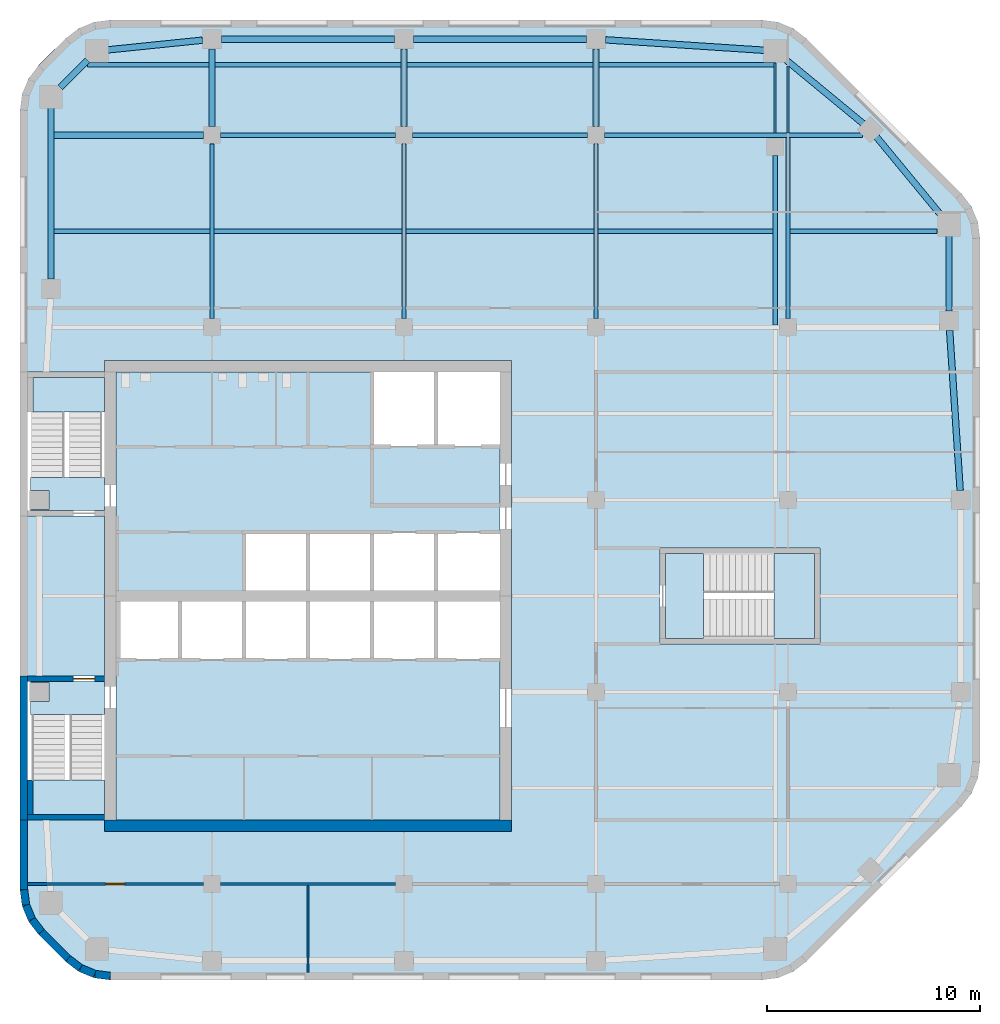
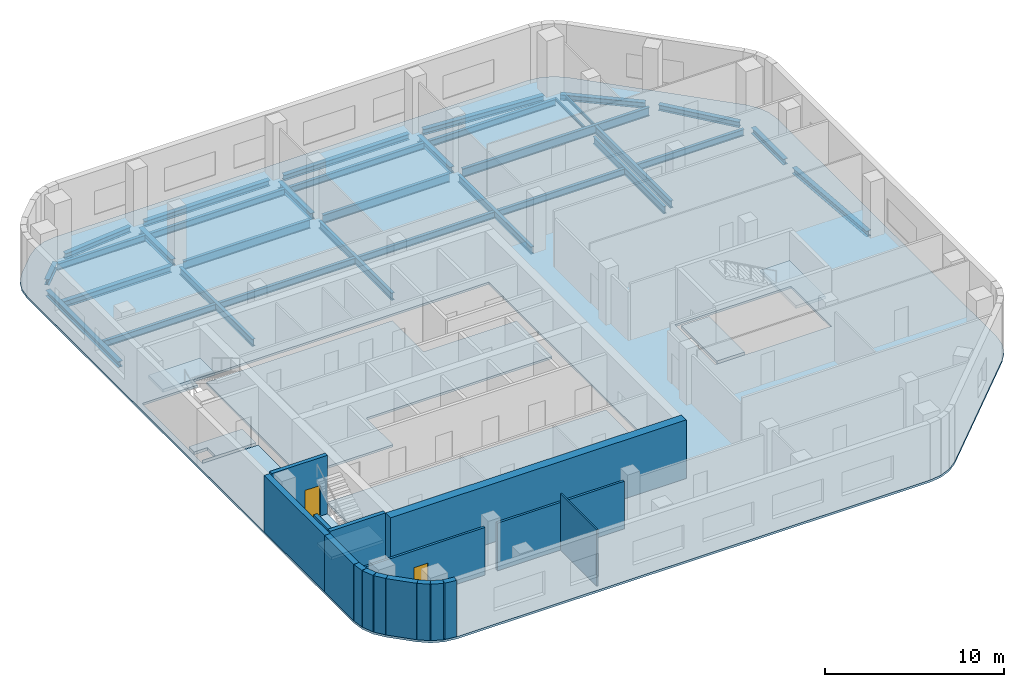
# One storey, part 2 of 8: 33 beams, 16 walls, 9 slabs, 2 doors, 2 openings, 3 elements without a shape of their own.
"""IFC4 building model written with IfcOpenShell, lengths in metres."""

from ifc_helpers import new_model, si_unit, direction, frame, frame_2d, origin, origin_2d, place, context, subcontext, project, spatial, polyline, rectangle, i_section, outline, extrude, material, layer, layer_set, material_profile, profile_set, type_object, element, fill, aggregate, save


model = new_model("IFC4")

# Units and contexts
model_context = context("Model", 3, precision=1e-05, world=origin(), true_north=direction((0.0, 1.0)))
body_context = subcontext(model_context, "Body", "Model", "MODEL_VIEW")
ifc_project = project(units=[si_unit("LENGTHUNIT", "METRE"), si_unit("AREAUNIT", "SQUARE_METRE"), si_unit("VOLUMEUNIT", "CUBIC_METRE"), si_unit("PLANEANGLEUNIT", "RADIAN"), si_unit("MASSUNIT", "GRAM", prefix="KILO")], contexts=[model_context])

# Site, building, storey
site_placement = place(None, origin())
site = spatial("IfcSite", under=ifc_project, at=site_placement, CompositionType="ELEMENT")
building_placement = place(site_placement, origin())
building = spatial("IfcBuilding", under=site, at=building_placement, Name="Cinnabar Reach Civic Tower", CompositionType="ELEMENT")
storey_placement = place(building_placement, frame((0.0, 0.0, 222.0)))
storey = spatial("IfcBuildingStorey", under=building, at=storey_placement, Name="L53", CompositionType="ELEMENT", Elevation=222.0)

# Beams
ifc_material_1 = material(Name="Steel Q355B", Category="steel")
ifc_material_profile_1 = material_profile(ifc_material_1, i_section(OverallWidth=0.3, OverallDepth=0.39, WebThickness=0.01, FlangeThickness=0.016, FilletRadius=0.013, at=origin_2d()), Name="HM390x300x10x16")
ifc_profile_set_1 = profile_set([ifc_material_profile_1], Name="Steel Q355B")
beam_type_1 = type_object("IfcBeamType", Name="HM390x300x10x16 beam R 180", PredefinedType="BEAM", material=ifc_profile_set_1)
beam_1_placement = place(storey_placement, frame((44.0702, 36.452, -0.345), z_axis=(-0.065709484267, 0.997838796438, 0.0), x_axis=(-0.997838796438, -0.065709484267, 0.0)))
element("IfcBeam", 1, at=beam_1_placement, inside=storey, type_object=beam_type_1, Name="Edge beam T1 L53 9", PredefinedType="BEAM", context=body_context, shape_type="SweptSolid", body=[
    extrude(i_section(OverallWidth=0.3, OverallDepth=0.39, WebThickness=0.01, FlangeThickness=0.016, FilletRadius=0.013, at=origin_2d()), origin(), (0.0, 0.0, 1.0), 7.5103),
])
beam_2_placement = place(storey_placement, frame((43.5469, 44.8501, -0.345), z_axis=(0.0, 1.0, 0.0), x_axis=(-1.0, 0.0, 0.0)))
element("IfcBeam", 2, at=beam_2_placement, inside=storey, type_object=beam_type_1, Name="Edge beam T1 L53 10", PredefinedType="BEAM", context=body_context, shape_type="SweptSolid", body=[
    extrude(i_section(OverallWidth=0.3, OverallDepth=0.39, WebThickness=0.01, FlangeThickness=0.016, FilletRadius=0.013, at=origin_2d()), origin(), (0.0, 0.0, 1.0), 3.616),
])
for number, where, z_axis, x_axis, name in (
    (3, (43.1906, 49.3301, -0.345), (-0.63630880182, 0.771434448755, 0.0), (-0.771434448755, -0.63630880182, 0.0), "Edge beam T1 L53 11"),
    (4, (39.5598, 53.6142, -0.345), (-0.771434448755, 0.63630880182, 0.0), (-0.63630880182, -0.771434448755, 0.0), "Edge beam T1 L53 12"),
):
    element("IfcBeam", number, at=place(storey_placement, frame(where, z_axis=z_axis, x_axis=x_axis)), inside=storey, type_object=beam_type_1, Name=name, PredefinedType="BEAM", context=body_context, shape_type="SweptSolid", body=[
        extrude(i_section(OverallWidth=0.3, OverallDepth=0.39, WebThickness=0.01, FlangeThickness=0.016, FilletRadius=0.013, at=origin_2d()), origin(), (0.0, 0.0, 1.0), 4.8348),
    ])
beam_3_placement = place(storey_placement, frame((34.9661, 57.0754, -0.345), z_axis=(-0.99783894477, 0.065707231721, 0.0), x_axis=(-0.065707231721, -0.99783894477, 0.0)))
element("IfcBeam", 5, at=beam_3_placement, inside=storey, type_object=beam_type_1, Name="Edge beam T1 L53 13", PredefinedType="BEAM", context=body_context, shape_type="SweptSolid", body=[
    extrude(i_section(OverallWidth=0.3, OverallDepth=0.39, WebThickness=0.01, FlangeThickness=0.016, FilletRadius=0.013, at=origin_2d()), origin(), (0.0, 0.0, 1.0), 7.5304),
])
for number, where, z_axis, x_axis, name in (
    (6, (26.548, 57.6, -0.345), (-1.0, 0.0, 0.0), (0.0, -1.0, 0.0), "Edge beam T1 L53 14"),
    (7, (17.548, 57.6, -0.345), (-1.0, 0.0, 0.0), (0.0, -1.0, 0.0), "Edge beam T1 L53 15"),
):
    element("IfcBeam", number, at=place(storey_placement, frame(where, z_axis=z_axis, x_axis=x_axis)), inside=storey, type_object=beam_type_1, Name=name, PredefinedType="BEAM", context=body_context, shape_type="SweptSolid", body=[
        extrude(i_section(OverallWidth=0.3, OverallDepth=0.39, WebThickness=0.01, FlangeThickness=0.016, FilletRadius=0.013, at=origin_2d()), origin(), (0.0, 0.0, 1.0), 8.096),
    ])
beam_4_placement = place(storey_placement, frame((8.548, 57.5537, -0.345), z_axis=(-0.994792272495, -0.101923179821, 0.0), x_axis=(0.101923179821, -0.994792272495, 0.0)))
element("IfcBeam", 8, at=beam_4_placement, inside=storey, type_object=beam_type_1, Name="Edge beam T1 L53 16", PredefinedType="BEAM", context=body_context, shape_type="SweptSolid", body=[
    extrude(i_section(OverallWidth=0.3, OverallDepth=0.39, WebThickness=0.01, FlangeThickness=0.016, FilletRadius=0.013, at=origin_2d()), origin(), (0.0, 0.0, 1.0), 4.5377),
])
beam_5_placement = place(storey_placement, frame((3.1699, 56.6149, -0.345), z_axis=(-0.707106781187, -0.707106781187, 0.0), x_axis=(0.707106781187, -0.707106781187, 0.0)))
element("IfcBeam", 9, at=beam_5_placement, inside=storey, type_object=beam_type_1, Name="Edge beam T1 L53 17", PredefinedType="BEAM", context=body_context, shape_type="SweptSolid", body=[
    extrude(i_section(OverallWidth=0.3, OverallDepth=0.39, WebThickness=0.01, FlangeThickness=0.016, FilletRadius=0.013, at=origin_2d()), origin(), (0.0, 0.0, 1.0), 1.817),
])
beam_6_placement = place(storey_placement, frame((1.4531, 54.4661, -0.345), z_axis=(0.0, -1.0, 0.0), x_axis=(1.0, 0.0, 0.0)))
element("IfcBeam", 10, at=beam_6_placement, inside=storey, type_object=beam_type_1, Name="Edge beam T1 L53 18", PredefinedType="BEAM", context=body_context, shape_type="SweptSolid", body=[
    extrude(i_section(OverallWidth=0.3, OverallDepth=0.39, WebThickness=0.01, FlangeThickness=0.016, FilletRadius=0.013, at=origin_2d()), origin(), (0.0, 0.0, 1.0), 8.116),
])
ifc_material_profile_2 = material_profile(ifc_material_1, i_section(OverallWidth=0.3, OverallDepth=0.44, WebThickness=0.011, FlangeThickness=0.018, FilletRadius=0.016, at=origin_2d()), Name="HM440x300x11x18")
ifc_profile_set_2 = profile_set([ifc_material_profile_2], Name="Steel Q355B")
beam_type_2 = type_object("IfcBeamType", Name="HM440x300x11x18 beam R 180", PredefinedType="BEAM", material=ifc_profile_set_2)
beam_7_placement = place(storey_placement, frame((1.6051, 53.1, -0.37), z_axis=(1.0, 0.0, 0.0), x_axis=(0.0, 1.0, 0.0)))
element("IfcBeam", 11, at=beam_7_placement, inside=storey, type_object=beam_type_2, Name="Girder T1 L53 17", PredefinedType="BEAM", context=body_context, shape_type="SweptSolid", body=[
    extrude(i_section(OverallWidth=0.3, OverallDepth=0.44, WebThickness=0.011, FlangeThickness=0.018, FilletRadius=0.016, at=origin_2d()), origin(), (0.0, 0.0, 1.0), 6.9929),
])
for number, where, z_axis, x_axis, name in (
    (12, (9.0, 53.502, -0.37), (0.0, 1.0, 0.0), (-1.0, 0.0, 0.0), "Girder T1 L53 5"),
    (13, (18.0, 53.502, -0.37), (0.0, 1.0, 0.0), (-1.0, 0.0, 0.0), "Girder T1 L53 10"),
    (14, (27.0, 53.502, -0.37), (0.0, 1.0, 0.0), (-1.0, 0.0, 0.0), "Girder T1 L53 16"),
):
    element("IfcBeam", number, at=place(storey_placement, frame(where, z_axis=z_axis, x_axis=x_axis)), inside=storey, type_object=beam_type_2, Name=name, PredefinedType="BEAM", context=body_context, shape_type="SweptSolid", body=[
        extrude(i_section(OverallWidth=0.3, OverallDepth=0.44, WebThickness=0.011, FlangeThickness=0.018, FilletRadius=0.016, at=origin_2d()), origin(), (0.0, 0.0, 1.0), 3.646),
    ])
ifc_material_profile_3 = material_profile(ifc_material_1, i_section(OverallWidth=0.099, OverallDepth=0.198, WebThickness=0.0045, FlangeThickness=0.007, FilletRadius=0.013, at=origin_2d()), Name="HN200x100x5.5x8")
ifc_profile_set_3 = profile_set([ifc_material_profile_3], Name="Steel Q355B")
beam_type_3 = type_object("IfcBeamType", Name="HN200x100x5.5x8 beam R 180", PredefinedType="BEAM", material=ifc_profile_set_3)
beam_8_placement = place(storey_placement, frame((35.3981, 53.2015, -0.249), z_axis=(0.0, 1.0, 0.0), x_axis=(-1.0, 0.0, 0.0)))
element("IfcBeam", 15, at=beam_8_placement, inside=storey, type_object=beam_type_3, Name="Girder T1 L53 23", PredefinedType="BEAM", context=body_context, shape_type="SweptSolid", body=[
    extrude(i_section(OverallWidth=0.099, OverallDepth=0.198, WebThickness=0.0045, FlangeThickness=0.007, FilletRadius=0.013, at=origin_2d()), origin(), (0.0, 0.0, 1.0), 3.2934),
])
beam_9_placement = place(storey_placement, frame((36.0, 53.2015, -0.249), z_axis=(0.0, 1.0, 0.0), x_axis=(-1.0, 0.0, 0.0)))
element("IfcBeam", 16, at=beam_9_placement, inside=storey, type_object=beam_type_3, Name="Girder T1 L53 30", PredefinedType="BEAM", context=body_context, shape_type="SweptSolid", body=[
    extrude(i_section(OverallWidth=0.099, OverallDepth=0.198, WebThickness=0.0045, FlangeThickness=0.007, FilletRadius=0.013, at=origin_2d()), origin(), (0.0, 0.0, 1.0), 3.1519),
])
ifc_material_profile_4 = material_profile(ifc_material_1, i_section(OverallWidth=0.199, OverallDepth=0.446, WebThickness=0.008, FlangeThickness=0.012, FilletRadius=0.016, at=origin_2d()), Name="HN446x199x8x12")
ifc_profile_set_4 = profile_set([ifc_material_profile_4], Name="Steel Q355B")
beam_type_4 = type_object("IfcBeamType", Name="HN446x199x8x12 beam R 180", PredefinedType="BEAM", material=ifc_profile_set_4)
beam_10_placement = place(storey_placement, frame((1.6051, 48.6, -0.373), z_axis=(1.0, 0.0, 0.0), x_axis=(0.0, 1.0, 0.0)))
element("IfcBeam", 17, at=beam_10_placement, inside=storey, type_object=beam_type_4, Name="Secondary beam T1 L53 11", PredefinedType="BEAM", context=body_context, shape_type="SweptSolid", body=[
    extrude(i_section(OverallWidth=0.199, OverallDepth=0.446, WebThickness=0.008, FlangeThickness=0.012, FilletRadius=0.016, at=origin_2d()), origin(), (0.0, 0.0, 1.0), 7.2929),
])
for number, where, z_axis, x_axis, name in (
    (18, (9.102, 48.6, -0.373), (1.0, 0.0, 0.0), (0.0, 1.0, 0.0), "Secondary beam T1 L53 12"),
    (19, (18.102, 48.6, -0.373), (1.0, 0.0, 0.0), (0.0, 1.0, 0.0), "Secondary beam T1 L53 13"),
):
    element("IfcBeam", number, at=place(storey_placement, frame(where, z_axis=z_axis, x_axis=x_axis)), inside=storey, type_object=beam_type_4, Name=name, PredefinedType="BEAM", context=body_context, shape_type="SweptSolid", body=[
        extrude(i_section(OverallWidth=0.199, OverallDepth=0.446, WebThickness=0.008, FlangeThickness=0.012, FilletRadius=0.016, at=origin_2d()), origin(), (0.0, 0.0, 1.0), 8.796),
    ])
beam_11_placement = place(storey_placement, frame((27.102, 48.6, -0.373), z_axis=(1.0, 0.0, 0.0), x_axis=(0.0, 1.0, 0.0)))
element("IfcBeam", 20, at=beam_11_placement, inside=storey, type_object=beam_type_4, Name="Secondary beam T1 L53 14", PredefinedType="BEAM", context=body_context, shape_type="SweptSolid", body=[
    extrude(i_section(OverallWidth=0.199, OverallDepth=0.446, WebThickness=0.008, FlangeThickness=0.012, FilletRadius=0.016, at=origin_2d()), origin(), (0.0, 0.0, 1.0), 8.1941),
])
beam_12_placement = place(storey_placement, frame((36.102, 48.6, -0.373), z_axis=(1.0, 0.0, 0.0), x_axis=(0.0, 1.0, 0.0)))
element("IfcBeam", 21, at=beam_12_placement, inside=storey, type_object=beam_type_4, Name="Secondary beam T1 L53 15", PredefinedType="BEAM", context=body_context, shape_type="SweptSolid", body=[
    extrude(i_section(OverallWidth=0.199, OverallDepth=0.446, WebThickness=0.008, FlangeThickness=0.012, FilletRadius=0.016, at=origin_2d()), origin(), (0.0, 0.0, 1.0), 6.8929),
])
beam_13_placement = place(storey_placement, frame((3.17, 56.4, -0.373), z_axis=(1.0, 0.0, 0.0), x_axis=(0.0, 1.0, 0.0)))
element("IfcBeam", 22, at=beam_13_placement, inside=storey, type_object=beam_type_4, Name="Secondary beam T1 L53 16", PredefinedType="BEAM", context=body_context, shape_type="SweptSolid", body=[
    extrude(i_section(OverallWidth=0.199, OverallDepth=0.446, WebThickness=0.008, FlangeThickness=0.012, FilletRadius=0.016, at=origin_2d()), origin(), (0.0, 0.0, 1.0), 5.678),
])
for number, where, z_axis, x_axis, name in (
    (23, (9.152, 56.4, -0.373), (1.0, 0.0, 0.0), (0.0, 1.0, 0.0), "Secondary beam T1 L53 17"),
    (24, (18.152, 56.4, -0.373), (1.0, 0.0, 0.0), (0.0, 1.0, 0.0), "Secondary beam T1 L53 18"),
):
    element("IfcBeam", number, at=place(storey_placement, frame(where, z_axis=z_axis, x_axis=x_axis)), inside=storey, type_object=beam_type_4, Name=name, PredefinedType="BEAM", context=body_context, shape_type="SweptSolid", body=[
        extrude(i_section(OverallWidth=0.199, OverallDepth=0.446, WebThickness=0.008, FlangeThickness=0.012, FilletRadius=0.016, at=origin_2d()), origin(), (0.0, 0.0, 1.0), 8.696),
    ])
beam_14_placement = place(storey_placement, frame((27.152, 56.4, -0.373), z_axis=(1.0, 0.0, 0.0), x_axis=(0.0, 1.0, 0.0)))
element("IfcBeam", 25, at=beam_14_placement, inside=storey, type_object=beam_type_4, Name="Secondary beam T1 L53 19", PredefinedType="BEAM", context=body_context, shape_type="SweptSolid", body=[
    extrude(i_section(OverallWidth=0.199, OverallDepth=0.446, WebThickness=0.008, FlangeThickness=0.012, FilletRadius=0.016, at=origin_2d()), origin(), (0.0, 0.0, 1.0), 8.1946),
])
ifc_material_profile_5 = material_profile(ifc_material_1, i_section(OverallWidth=0.2, OverallDepth=0.5, WebThickness=0.01, FlangeThickness=0.016, FilletRadius=0.016, at=origin_2d()), Name="HN500x200x10x16")
ifc_profile_set_5 = profile_set([ifc_material_profile_5], Name="Steel Q355B")
beam_type_5 = type_object("IfcBeamType", Name="HN500x200x10x16 beam R 180", PredefinedType="BEAM", material=ifc_profile_set_5)
for number, where, z_axis, x_axis, name in (
    (26, (9.0, 44.502, -0.4), (0.0, 1.0, 0.0), (-1.0, 0.0, 0.0), "Girder T1 L53 4"),
    (27, (18.0, 44.502, -0.4), (0.0, 1.0, 0.0), (-1.0, 0.0, 0.0), "Girder T1 L53 9"),
    (28, (27.0, 44.502, -0.4), (0.0, 1.0, 0.0), (-1.0, 0.0, 0.0), "Girder T1 L53 15"),
):
    element("IfcBeam", number, at=place(storey_placement, frame(where, z_axis=z_axis, x_axis=x_axis)), inside=storey, type_object=beam_type_5, Name=name, PredefinedType="BEAM", context=body_context, shape_type="SweptSolid", body=[
        extrude(i_section(OverallWidth=0.2, OverallDepth=0.5, WebThickness=0.01, FlangeThickness=0.016, FilletRadius=0.016, at=origin_2d()), origin(), (0.0, 0.0, 1.0), 8.196),
    ])
beam_15_placement = place(storey_placement, frame((35.3981, 44.2015, -0.4), z_axis=(0.0, 1.0, 0.0), x_axis=(-1.0, 0.0, 0.0)))
element("IfcBeam", 29, at=beam_15_placement, inside=storey, type_object=beam_type_5, Name="Girder T1 L53 22", PredefinedType="BEAM", context=body_context, shape_type="SweptSolid", body=[
    extrude(i_section(OverallWidth=0.2, OverallDepth=0.5, WebThickness=0.01, FlangeThickness=0.016, FilletRadius=0.016, at=origin_2d()), origin(), (0.0, 0.0, 1.0), 7.9434),
])
beam_16_placement = place(storey_placement, frame((36.0, 44.502, -0.4), z_axis=(0.0, 1.0, 0.0), x_axis=(-1.0, 0.0, 0.0)))
element("IfcBeam", 30, at=beam_16_placement, inside=storey, type_object=beam_type_5, Name="Girder T1 L53 29", PredefinedType="BEAM", context=body_context, shape_type="SweptSolid", body=[
    extrude(i_section(OverallWidth=0.2, OverallDepth=0.5, WebThickness=0.01, FlangeThickness=0.016, FilletRadius=0.016, at=origin_2d()), origin(), (0.0, 0.0, 1.0), 8.4965),
])
ifc_material_profile_6 = material_profile(ifc_material_1, i_section(OverallWidth=0.199, OverallDepth=0.596, WebThickness=0.01, FlangeThickness=0.015, FilletRadius=0.016, at=origin_2d()), Name="HN596x199x10x15")
ifc_profile_set_6 = profile_set([ifc_material_profile_6], Name="Steel Q355B")
beam_type_6 = type_object("IfcBeamType", Name="HN596x199x10x15 beam R 180", PredefinedType="BEAM", material=ifc_profile_set_6)
for number, where, z_axis, x_axis, name in (
    (31, (9.402, 53.1, -0.448), (1.0, 0.0, 0.0), (0.0, 1.0, 0.0), "Girder T1 L53 18"),
    (32, (18.402, 53.1, -0.448), (1.0, 0.0, 0.0), (0.0, 1.0, 0.0), "Girder T1 L53 19"),
):
    element("IfcBeam", number, at=place(storey_placement, frame(where, z_axis=z_axis, x_axis=x_axis)), inside=storey, type_object=beam_type_6, Name=name, PredefinedType="BEAM", context=body_context, shape_type="SweptSolid", body=[
        extrude(i_section(OverallWidth=0.199, OverallDepth=0.596, WebThickness=0.01, FlangeThickness=0.015, FilletRadius=0.016, at=origin_2d()), origin(), (0.0, 0.0, 1.0), 8.196),
    ])
beam_17_placement = place(storey_placement, frame((27.402, 53.1, -0.448), z_axis=(1.0, 0.0, 0.0), x_axis=(0.0, 1.0, 0.0)))
element("IfcBeam", 33, at=beam_17_placement, inside=storey, type_object=beam_type_6, Name="Girder T1 L53 20", PredefinedType="BEAM", context=body_context, shape_type="SweptSolid", body=[
    extrude(i_section(OverallWidth=0.199, OverallDepth=0.596, WebThickness=0.01, FlangeThickness=0.015, FilletRadius=0.016, at=origin_2d()), origin(), (0.0, 0.0, 1.0), 12.086),
])

# Slab
ifc_material_2 = material(Name="Concrete C40", Category="concrete")
ifc_layer_1 = layer(ifc_material_2, 0.15)
ifc_layer_set_1 = layer_set([ifc_layer_1], Name="Composite floor slab 150 REI 150")
slab_type_1 = type_object("IfcSlabType", Name="Composite floor slab 150 REI 150", PredefinedType="FLOOR", material=ifc_layer_set_1)
slab_1_placement = place(storey_placement, frame((0.0, 0.0, -0.15)))
element("IfcSlab", 34, at=slab_1_placement, inside=storey, type_object=slab_type_1, Name="Composite floor slab 150 T1 L53", PredefinedType="FLOOR", context=body_context, shape_type="SweptSolid", body=[
    extrude(outline(polyline([(0.8787, 15.6213), (0.4019, 16.2426), (0.1022, 16.9662), (0.0, 17.7426), (0.0, 54.2574), (0.1022, 55.0338), (0.4019, 55.7574), (0.8787, 56.3787), (2.1213, 57.6213), (2.7426, 58.0981), (3.4662, 58.3978), (4.2426, 58.5), (34.7574, 58.5), (35.5338, 58.3978), (36.2574, 58.0981), (36.8787, 57.6213), (44.1213, 50.3787), (44.5981, 49.7574), (44.8978, 49.0338), (45.0, 48.2574), (45.0, 23.7426), (44.8978, 22.9662), (44.5981, 22.2426), (44.1213, 21.6213), (36.8787, 14.3787), (36.2574, 13.9019), (35.5338, 13.6022), (34.7574, 13.5), (4.2426, 13.5), (3.4662, 13.6022), (2.7426, 13.9019), (2.1213, 14.3787), (0.8787, 15.6213)]), holes=[polyline([(0.36, 21.0), (3.95, 21.0), (3.95, 20.45), (23.05, 20.45), (23.05, 42.55), (3.95, 42.55), (3.95, 42.0), (0.36, 42.0), (0.36, 35.25), (3.95, 35.25), (3.95, 27.75), (0.36, 27.75), (0.36, 21.0)]), polyline([(30.0, 33.75), (30.0, 29.25), (37.5, 29.25), (37.5, 33.75), (30.0, 33.75)])]), origin(), (0.0, 0.0, 1.0), 0.15),
])

# Stair, slabs
ifc_material_3 = material(Name="Concrete C40/50", Category="concrete")
stair_type = type_object("IfcStairType", Name="T1 Exit stair, half-turn", PredefinedType="HALF_TURN_STAIR", material=ifc_material_3)
stair_1_placement = place(storey_placement, origin())
stair_1 = element("IfcStair", 35, at=stair_1_placement, inside=storey, type_object=stair_type, Name="Stair T1-S1", PredefinedType="HALF_TURN_STAIR")
ifc_layer_2 = layer(ifc_material_3, 0.2)
ifc_layer_set_2 = layer_set([ifc_layer_2], Name="T1 Stair landing 200, Concrete C40/50")
slab_type_2 = type_object("IfcSlabType", Name="T1 Stair landing 200, Concrete C40/50", PredefinedType="LANDING", material=ifc_layer_set_2)
slab_2_placement = place(storey_placement, frame((0.0, 0.0, -0.2)))
slab_2 = element("IfcSlab", 36, at=slab_2_placement, type_object=slab_type_2, Name="T1-S1 landing 1", PredefinedType="LANDING", context=body_context, shape_type="SweptSolid", body=[
    extrude(outline(polyline([(0.5, 27.5), (3.95, 27.5), (3.95, 25.95), (0.5, 25.95), (0.5, 26.55), (1.35, 26.55), (1.35, 27.45), (0.5, 27.45), (0.5, 27.5)])), origin(), (0.0, 0.0, 1.0), 0.2),
])
slab_3_placement = place(storey_placement, frame((0.0, 0.0, 1.8)))
slab_3 = element("IfcSlab", 37, at=slab_3_placement, type_object=slab_type_2, Name="T1-S1 landing 2", PredefinedType="LANDING", context=body_context, shape_type="SweptSolid", body=[
    extrude(outline(polyline([(0.6, 21.25), (0.6, 22.87), (3.95, 22.87), (3.95, 21.25), (0.6, 21.25)])), origin(), (0.0, 0.0, 1.0), 0.2),
])
aggregate(stair_1, [slab_2, slab_3])

stair_2_placement = place(storey_placement, origin())
stair_2 = element("IfcStair", 38, at=stair_2_placement, inside=storey, type_object=stair_type, Name="Stair T1-S2", PredefinedType="HALF_TURN_STAIR")
slab_4_placement = place(storey_placement, frame((0.0, 0.0, -0.2)))
slab_4 = element("IfcSlab", 39, at=slab_4_placement, type_object=slab_type_2, Name="T1-S2 landing 1", PredefinedType="LANDING", context=body_context, shape_type="SweptSolid", body=[
    extrude(outline(polyline([(0.5, 37.05), (3.95, 37.05), (3.95, 35.5), (0.5, 35.5), (0.5, 35.55), (1.35, 35.55), (1.35, 36.45), (0.5, 36.45), (0.5, 37.05)])), origin(), (0.0, 0.0, 1.0), 0.2),
])
slab_5_placement = place(storey_placement, frame((0.0, 0.0, 1.8)))
slab_5 = element("IfcSlab", 40, at=slab_5_placement, type_object=slab_type_2, Name="T1-S2 landing 2", PredefinedType="LANDING", context=body_context, shape_type="SweptSolid", body=[
    extrude(outline(polyline([(0.6, 40.13), (0.6, 41.75), (3.95, 41.75), (3.95, 40.13), (0.6, 40.13)])), origin(), (0.0, 0.0, 1.0), 0.2),
])
aggregate(stair_2, [slab_4, slab_5])

stair_3_placement = place(storey_placement, origin())
stair_3 = element("IfcStair", 41, at=stair_3_placement, inside=storey, type_object=stair_type, Name="Stair T1-S3", PredefinedType="HALF_TURN_STAIR")
slab_6_placement = place(storey_placement, frame((0.0, 0.0, -0.2)))
slab_6 = element("IfcSlab", 42, at=slab_6_placement, type_object=slab_type_2, Name="T1-S3 landing 1", PredefinedType="LANDING", context=body_context, shape_type="SweptSolid", body=[
    extrude(outline(polyline([(30.25, 29.5), (32.05, 29.5), (32.05, 33.5), (30.25, 33.5), (30.25, 29.5)])), origin(), (0.0, 0.0, 1.0), 0.2),
])
slab_7_placement = place(storey_placement, frame((0.0, 0.0, 1.8)))
slab_7 = element("IfcSlab", 43, at=slab_7_placement, type_object=slab_type_2, Name="T1-S3 landing 2", PredefinedType="LANDING", context=body_context, shape_type="SweptSolid", body=[
    extrude(outline(polyline([(35.35, 29.5), (37.25, 29.5), (37.25, 33.5), (35.35, 33.5), (35.35, 29.5)])), origin(), (0.0, 0.0, 1.0), 0.2),
])
aggregate(stair_3, [slab_6, slab_7])

# Slabs
ifc_layer_3 = layer(ifc_material_3, 0.15)
ifc_layer_set_3 = layer_set([ifc_layer_3], Name="T1 core floor slab 150")
slab_type_3 = type_object("IfcSlabType", Name="T1 core floor slab 150", PredefinedType="FLOOR", material=ifc_layer_set_3)
slab_8_placement = place(storey_placement, frame((0.0, 0.0, -0.15)))
element("IfcSlab", 44, at=slab_8_placement, inside=storey, type_object=slab_type_3, Name="Core floor slab L53", PredefinedType="FLOOR", context=body_context, shape_type="SweptSolid", body=[
    extrude(outline(polyline([(22.5, 21.0), (4.5, 21.0), (4.5, 28.5), (7.5, 28.5), (10.5, 28.5), (13.5, 28.5), (16.5, 28.5), (19.5, 28.5), (22.5, 28.5), (22.5, 21.0)])), origin(), (0.0, 0.0, 1.0), 0.15),
])
slab_9_placement = place(storey_placement, frame((0.0, 0.0, -0.15)))
element("IfcSlab", 45, at=slab_9_placement, inside=storey, type_object=slab_type_3, Name="Core floor slab L53", PredefinedType="FLOOR", context=body_context, shape_type="SweptSolid", body=[
    extrude(outline(polyline([(22.5, 34.5), (19.5, 34.5), (16.5, 34.5), (13.5, 34.5), (10.5, 34.5), (10.5, 31.5), (7.5, 31.5), (4.5, 31.5), (4.5, 42.0), (16.5, 42.0), (16.5, 38.5), (19.5, 38.5), (22.5, 38.5), (22.5, 34.5)])), origin(), (0.0, 0.0, 1.0), 0.15),
])

# Walls
ifc_material_4 = material(Name="Facing brick with insulated backing", Category="masonry")
ifc_layer_4 = layer(ifc_material_4, 0.36)
ifc_layer_set_4 = layer_set([ifc_layer_4], Name="Brick corner wall")
wall_type_1 = type_object("IfcWallType", Name="Brick corner wall", PredefinedType="STANDARD", material=ifc_layer_set_4)
for number, where, z_axis, x_axis, name in (
    (46, (0.183, 17.7314, 0.0), (0.0, 0.0, 1.0), (0.13055608231, -0.99144092581, 0.0), "Brick corner wall"),
    (47, (0.2819, 17.0027, 0.0), (0.0, 0.0, 1.0), (0.382702709855, -0.923871547278, 0.0), "Brick corner wall"),
):
    element("IfcWall", number, at=place(storey_placement, frame(where, z_axis=z_axis, x_axis=x_axis)), inside=storey, type_object=wall_type_1, Name=name, PredefinedType="STANDARD", context=body_context, shape_type="SweptSolid", body=[
        extrude(rectangle(XDim=0.7131, YDim=0.36, at=frame_2d((0.3565, 0.0))), origin(), (0.0, 0.0, 1.0), 3.85),
    ])
for number, where, z_axis, x_axis, name in (
    (48, (0.566, 16.3245, 0.0), (0.0, 0.0, 1.0), (0.608802368033, -0.793321924995, 0.0), "Brick corner wall"),
    (49, (2.2587, 14.5002, 0.0), (0.0, 0.0, 1.0), (0.793321924995, -0.608802368033, 0.0), "Brick corner wall"),
):
    element("IfcWall", number, at=place(storey_placement, frame(where, z_axis=z_axis, x_axis=x_axis)), inside=storey, type_object=wall_type_1, Name=name, PredefinedType="STANDARD", context=body_context, shape_type="SweptSolid", body=[
        extrude(rectangle(XDim=0.7132, YDim=0.36, at=frame_2d((0.3566, 0.0))), origin(), (0.0, 0.0, 1.0), 3.85),
    ])
for number, where, z_axis, x_axis, name in (
    (50, (2.8439, 14.0548, 0.0), (0.0, 0.0, 1.0), (0.923871547278, -0.382702709855, 0.0), "Brick corner wall"),
    (51, (3.5244, 13.7761, 0.0), (0.0, 0.0, 1.0), (0.99144092581, -0.13055608231, 0.0), "Brick corner wall"),
):
    element("IfcWall", number, at=place(storey_placement, frame(where, z_axis=z_axis, x_axis=x_axis)), inside=storey, type_object=wall_type_1, Name=name, PredefinedType="STANDARD", context=body_context, shape_type="SweptSolid", body=[
        extrude(rectangle(XDim=0.7131, YDim=0.36, at=frame_2d((0.3565, 0.0))), origin(), (0.0, 0.0, 1.0), 3.85),
    ])
ifc_layer_5 = layer(ifc_material_4, 0.36)
ifc_layer_set_5 = layer_set([ifc_layer_5], Name="Brick pier and spandrel wall")
wall_type_2 = type_object("IfcWallType", Name="Brick pier and spandrel wall", PredefinedType="STANDARD", material=ifc_layer_set_5)
wall_1_placement = place(storey_placement, frame((0.18, 27.75, 0.0), z_axis=(0.0, 0.0, 1.0), x_axis=(0.0, -1.0, 0.0)))
element("IfcWall", 52, at=wall_1_placement, inside=storey, type_object=wall_type_2, Name="Brick facade wall", PredefinedType="STANDARD", context=body_context, shape_type="SweptSolid", body=[
    extrude(rectangle(XDim=6.75, YDim=0.36, at=frame_2d((3.375, 0.0))), origin(), (0.0, 0.0, 1.0), 3.85),
])
wall_2_placement = place(storey_placement, frame((0.18, 21.0, 0.0), z_axis=(0.0, 0.0, 1.0), x_axis=(0.0, -1.0, 0.0)))
element("IfcWall", 53, at=wall_2_placement, inside=storey, type_object=wall_type_2, Name="Brick facade wall", PredefinedType="STANDARD", context=body_context, shape_type="SweptSolid", body=[
    extrude(rectangle(XDim=3.2574, YDim=0.36, at=frame_2d((1.6287, 0.0))), origin(), (0.0, 0.0, 1.0), 3.85),
])
wall_3_placement = place(storey_placement, frame((1.006, 15.7486, 0.0), z_axis=(0.0, 0.0, 1.0), x_axis=(0.707106781187, -0.707106781187, 0.0)))
element("IfcWall", 54, at=wall_3_placement, inside=storey, type_object=wall_type_2, Name="Brick facade wall", PredefinedType="STANDARD", context=body_context, shape_type="SweptSolid", body=[
    extrude(rectangle(XDim=1.7573, YDim=0.36, at=frame_2d((0.8787, 0.0))), origin(), (0.0, 0.0, 1.0), 3.85),
])
ifc_material_5 = material(Name="Concrete C60", Category="concrete")
ifc_layer_6 = layer(ifc_material_5, 0.55)
ifc_layer_set_6 = layer_set([ifc_layer_6], Name="Core wall 550 EI 180")
wall_type_3 = type_object("IfcWallType", Name="Core wall 550 EI 180", PredefinedType="SOLIDWALL", material=ifc_layer_set_6)
wall_4_placement = place(storey_placement, frame((3.95, 20.725, 0.0), z_axis=(0.0, 0.0, 1.0), x_axis=(1.0, 0.0, 0.0)))
element("IfcWall", 55, at=wall_4_placement, inside=storey, type_object=wall_type_3, Name="Core wall T1 L53 S", PredefinedType="SOLIDWALL", context=body_context, shape_type="SweptSolid", body=[
    extrude(rectangle(XDim=19.1, YDim=0.55, at=frame_2d((9.55, 0.0))), origin(), (0.0, 0.0, 1.0), 4.0),
])
ifc_material_6 = material(Name="Gypsum board on steel studs, double layer", Category="steel")
ifc_layer_7 = layer(ifc_material_6, 0.15)
ifc_layer_set_7 = layer_set([ifc_layer_7], Name="Corridor wall 150 T1")
wall_type_4 = type_object("IfcWallType", Name="Corridor wall 150 T1", PredefinedType="PARTITIONING", material=ifc_layer_set_7)
wall_5_placement = place(storey_placement, frame((9.4, 18.0, 0.0), z_axis=(0.0, 0.0, 1.0), x_axis=(1.0, 0.0, 0.0)))
element("IfcWall", 56, at=wall_5_placement, inside=storey, type_object=wall_type_4, Name="Corridor wall 22", PredefinedType="PARTITIONING", context=body_context, shape_type="SweptSolid", body=[
    extrude(rectangle(XDim=8.2, YDim=0.15, at=frame_2d((4.1, 0.0))), origin(), (0.0, 0.0, 1.0), 3.254),
])

# Wall, opening, door
wall_6_placement = place(storey_placement, frame((0.36, 18.0, 0.0), z_axis=(0.0, 0.0, 1.0), x_axis=(1.0, 0.0, 0.0)))
wall_6 = element("IfcWall", 57, at=wall_6_placement, inside=storey, type_object=wall_type_4, Name="Corridor wall 23", PredefinedType="PARTITIONING", context=body_context, shape_type="SweptSolid", body=[
    extrude(rectangle(XDim=8.24, YDim=0.15, at=frame_2d((4.12, 0.0))), origin(), (0.0, 0.0, 1.0), 3.254),
])
opening_1_placement = place(wall_6_placement, frame((3.65, 0.0, 0.0)))
opening_1 = element("IfcOpeningElement", 58, at=opening_1_placement, cuts=wall_6, Name="Opening D5178", PredefinedType="OPENING", context=body_context, shape_type="SweptSolid", body=[
    extrude(rectangle(XDim=0.9, YDim=2.1, at=frame_2d((0.45, 1.05))), frame((0.0, 0.085, 0.0), z_axis=(0.0, -1.0, 0.0), x_axis=(1.0, 0.0, 0.0)), (0.0, 0.0, 1.0), 0.17),
])
ifc_material_7 = material(Name="Timber door leaf in steel frame", Category="steel")
door_type_1 = type_object("IfcDoorType", Name="Single swing door 900 x 2100 corridor T1", OperationType="SINGLE_SWING_LEFT", PredefinedType="DOOR", material=ifc_material_7)
door_1_placement = place(opening_1_placement, frame((0.9, 0.0, 0.0), z_axis=(0.0, 0.0, 1.0), x_axis=(-1.0, 0.0, 0.0)))
door_1 = element("IfcDoor", 59, at=door_1_placement, inside=storey, type_object=door_type_1, Name="Door D5178", OperationType="SINGLE_SWING_RIGHT", OverallHeight=2.1, OverallWidth=0.9, PredefinedType="DOOR", context=body_context, shape_type="SweptSolid", body=[
    extrude(rectangle(XDim=0.9, YDim=2.1, at=frame_2d((0.45, 1.05))), frame((0.0, 0.025, 0.0), z_axis=(0.0, -1.0, 0.0), x_axis=(1.0, 0.0, 0.0)), (0.0, 0.0, 1.0), 0.05),
])
fill(opening_1, door_1)

# Walls
ifc_material_8 = material(Name="Gypsum board on steel studs", Category="steel")
ifc_layer_8 = layer(ifc_material_8, 0.1)
ifc_layer_set_8 = layer_set([ifc_layer_8], Name="Partition wall 100 T1")
wall_type_5 = type_object("IfcWallType", Name="Partition wall 100 T1", PredefinedType="PARTITIONING", material=ifc_layer_set_8)
wall_7_placement = place(storey_placement, frame((13.5, 13.86, 0.0), z_axis=(0.0, 0.0, 1.0), x_axis=(0.0, 1.0, 0.0)))
element("IfcWall", 60, at=wall_7_placement, inside=storey, type_object=wall_type_5, Name="Partition wall 50", PredefinedType="PARTITIONING", context=body_context, shape_type="SweptSolid", body=[
    extrude(rectangle(XDim=4.065, YDim=0.1, at=frame_2d((2.0325, 0.0))), origin(), (0.0, 0.0, 1.0), 3.85),
])
ifc_layer_9 = layer(ifc_material_5, 0.25)
ifc_layer_set_9 = layer_set([ifc_layer_9], Name="Stair shaft wall 250 EI 120")
wall_type_6 = type_object("IfcWallType", Name="Stair shaft wall 250 EI 120", PredefinedType="SOLIDWALL", material=ifc_layer_set_9)
wall_8_placement = place(storey_placement, frame((0.36, 21.125, 0.0), z_axis=(0.0, 0.0, 1.0), x_axis=(1.0, 0.0, 0.0)))
element("IfcWall", 61, at=wall_8_placement, inside=storey, type_object=wall_type_6, Name="Stair shaft wall T1-S1 L53", PredefinedType="SOLIDWALL", context=body_context, shape_type="SweptSolid", body=[
    extrude(rectangle(XDim=3.59, YDim=0.25, at=frame_2d((1.795, 0.0))), origin(), (0.0, 0.0, 1.0), 4.0),
])

# Wall, opening, door
wall_9_placement = place(storey_placement, frame((3.95, 27.625, 0.0), z_axis=(0.0, 0.0, 1.0), x_axis=(-1.0, 0.0, 0.0)))
wall_9 = element("IfcWall", 62, at=wall_9_placement, inside=storey, type_object=wall_type_6, Name="Stair shaft wall T1-S1 L53", PredefinedType="SOLIDWALL", context=body_context, shape_type="SweptSolid", body=[
    extrude(rectangle(XDim=3.59, YDim=0.25, at=frame_2d((1.795, 0.0))), origin(), (0.0, 0.0, 1.0), 4.0),
])
opening_2_placement = place(wall_9_placement, frame((0.45, 0.0, 0.0)))
opening_2 = element("IfcOpeningElement", 63, at=opening_2_placement, cuts=wall_9, Name="Opening D5148", PredefinedType="OPENING", context=body_context, shape_type="SweptSolid", body=[
    extrude(rectangle(XDim=1.0, YDim=2.1, at=frame_2d((0.5, 1.05))), frame((0.0, 0.135, 0.0), z_axis=(0.0, -1.0, 0.0), x_axis=(1.0, 0.0, 0.0)), (0.0, 0.0, 1.0), 0.27),
])
door_type_2 = type_object("IfcDoorType", Name="Stair door 1000 x 2100 T1", OperationType="SINGLE_SWING_LEFT", PredefinedType="DOOR", material=ifc_material_7)
door_2_placement = place(opening_2_placement, origin())
door_2 = element("IfcDoor", 64, at=door_2_placement, inside=storey, type_object=door_type_2, Name="Door D5148", OperationType="SINGLE_SWING_LEFT", OverallHeight=2.1, OverallWidth=1.0, PredefinedType="DOOR", context=body_context, shape_type="SweptSolid", body=[
    extrude(rectangle(XDim=1.0, YDim=2.1, at=frame_2d((0.5, 1.05))), frame((0.0, 0.025, 0.0), z_axis=(0.0, -1.0, 0.0), x_axis=(1.0, 0.0, 0.0)), (0.0, 0.0, 1.0), 0.05),
])
fill(opening_2, door_2)

# Wall
ifc_layer_10 = layer(ifc_material_3, 0.24)
ifc_layer_set_10 = layer_set([ifc_layer_10], Name="T1 landing bearer wall 240")
wall_type_7 = type_object("IfcWallType", Name="T1 landing bearer wall 240", PredefinedType="STANDARD", material=ifc_layer_set_10)
wall_10_placement = place(storey_placement, frame((0.48, 21.25, 0.0), z_axis=(0.0, 0.0, 1.0), x_axis=(0.0, 1.0, 0.0)))
element("IfcWall", 65, at=wall_10_placement, inside=storey, type_object=wall_type_7, Name="T1-S1 landing bearer wall", PredefinedType="STANDARD", context=body_context, shape_type="SweptSolid", body=[
    extrude(rectangle(XDim=1.62, YDim=0.24, at=frame_2d((0.81, 0.0))), origin(), (0.0, 0.0, 1.0), 4.0),
])

save(model, "model.ifc")
